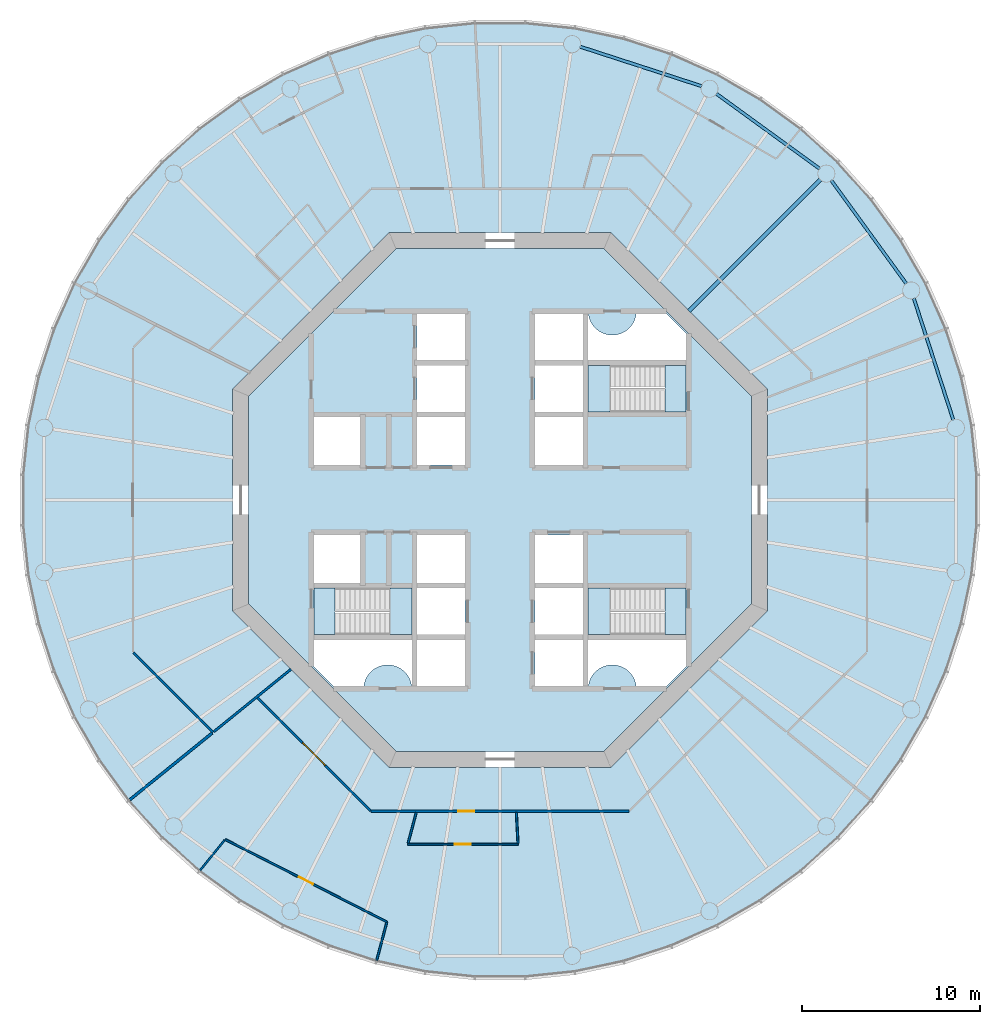
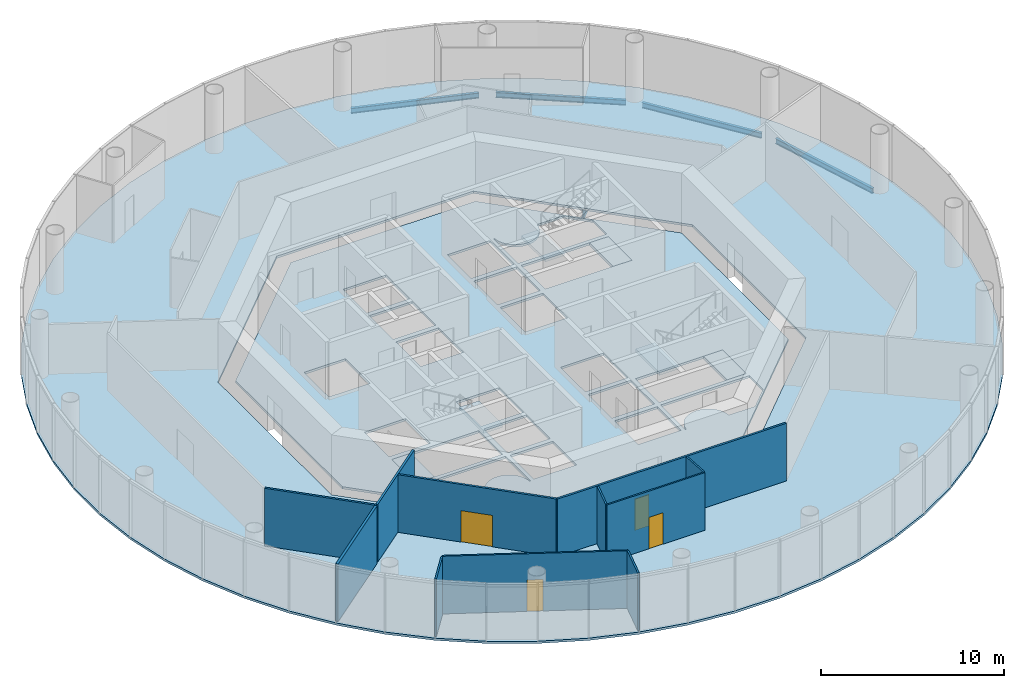
# One storey, part 2 of 12: 11 walls, 8 slabs, 5 beams, 4 doors, 4 openings, 3 elements without a shape of their own.
"""IFC4 building model written with IfcOpenShell, lengths in metres."""

from ifc_helpers import new_model, si_unit, direction, frame, frame_2d, origin, origin_2d, place, context, subcontext, project, spatial, polyline, rectangle, i_section, outline, extrude, material, layer, layer_set, material_profile, profile_set, type_object, element, fill, aggregate, save


model = new_model("IFC4")

# Units and contexts
model_context = context("Model", 3, precision=1e-05, world=origin(), true_north=direction((0.0, 1.0)))
body_context = subcontext(model_context, "Body", "Model", "MODEL_VIEW")
ifc_project = project(units=[si_unit("LENGTHUNIT", "METRE"), si_unit("AREAUNIT", "SQUARE_METRE"), si_unit("VOLUMEUNIT", "CUBIC_METRE"), si_unit("PLANEANGLEUNIT", "RADIAN"), si_unit("MASSUNIT", "GRAM", prefix="KILO")], contexts=[model_context])

# Site, building, storey
site_placement = place(None, origin())
site = spatial("IfcSite", under=ifc_project, at=site_placement, CompositionType="ELEMENT")
building_placement = place(site_placement, origin())
building = spatial("IfcBuilding", under=site, at=building_placement, Name="Entoto Ring Tower", CompositionType="ELEMENT")
storey_placement = place(building_placement, frame((0.0, 0.0, 242.0)))
storey = spatial("IfcBuildingStorey", under=building, at=storey_placement, Name="L55", CompositionType="ELEMENT", Elevation=242.0)

# Beams
ifc_material_1 = material(Name="Steel S355", Category="steel")
ifc_material_profile_1 = material_profile(ifc_material_1, i_section(OverallWidth=0.169921875, OverallDepth=0.360107421875, WebThickness=0.008056640625, FlangeThickness=0.0126953125, FilletRadius=0.01806640625, at=origin_2d()), Name="IPE 360")
ifc_profile_set_1 = profile_set([ifc_material_profile_1], Name="Steel S355")
beam_type_1 = type_object("IfcBeamType", Name="Edge beam IPE 360", PredefinedType="SPANDREL", material=ifc_profile_set_1)
beam_1_placement = place(storey_placement, frame((115.43505859375, 84.501220703125, -0.330078125), z_axis=(-0.309015118354, 0.951057125849, 0.0), x_axis=(-0.951057125849, -0.309015118354, 0.0)))
element("IfcBeam", 1, at=beam_1_placement, inside=storey, type_object=beam_type_1, Name="Edge beam L55 01", PredefinedType="SPANDREL", context=body_context, shape_type="SweptSolid", body=[
    extrude(i_section(OverallWidth=0.169921875, OverallDepth=0.360107421875, WebThickness=0.008056640625, FlangeThickness=0.0126953125, FilletRadius=0.01806640625, at=origin_2d()), origin(), (0.0, 0.0, 1.0), 7.157958984375),
])
for number, where, z_axis, x_axis, name in (
    (2, (112.79931640625, 92.140625, -0.330078125), (-0.587794432314, 0.809010324619, 0.0), (-0.809010324619, -0.587794432314, 0.0), "Edge beam L55 02"),
    (3, (107.931640625, 98.591796875, -0.330078125), (-0.809010324619, 0.587794432314, 0.0), (-0.587794432314, -0.809010324619, 0.0), "Edge beam L55 03"),
):
    element("IfcBeam", number, at=place(storey_placement, frame(where, z_axis=z_axis, x_axis=x_axis)), inside=storey, type_object=beam_type_1, Name=name, PredefinedType="SPANDREL", context=body_context, shape_type="SweptSolid", body=[
        extrude(i_section(OverallWidth=0.169921875, OverallDepth=0.360107421875, WebThickness=0.008056640625, FlangeThickness=0.0126953125, FilletRadius=0.01806640625, at=origin_2d()), origin(), (0.0, 0.0, 1.0), 7.158203125),
    ])
beam_2_placement = place(storey_placement, frame((101.308837890625, 103.22314453125, -0.330078125), z_axis=(-0.951057125849, 0.309015118354, 0.0), x_axis=(-0.309015118354, -0.951057125849, 0.0)))
element("IfcBeam", 4, at=beam_2_placement, inside=storey, type_object=beam_type_1, Name="Edge beam L55 04", PredefinedType="SPANDREL", context=body_context, shape_type="SweptSolid", body=[
    extrude(i_section(OverallWidth=0.169921875, OverallDepth=0.360107421875, WebThickness=0.008056640625, FlangeThickness=0.0126953125, FilletRadius=0.01806640625, at=origin_2d()), origin(), (0.0, 0.0, 1.0), 7.157958984375),
])
ifc_material_2 = material(Name="Steel S355", Category="steel")
ifc_material_profile_2 = material_profile(ifc_material_2, i_section(OverallWidth=0.199951171875, OverallDepth=0.5, WebThickness=0.01025390625, FlangeThickness=0.01611328125, FilletRadius=0.02099609375, at=origin_2d()), Name="IPE 500")
ifc_profile_set_2 = profile_set([ifc_material_profile_2], Name="Steel S355")
beam_type_2 = type_object("IfcBeamType", Name="Primary floor beam IPE 500", PredefinedType="BEAM", material=ifc_profile_set_2)
beam_3_placement = place(storey_placement, frame((100.592529296875, 90.592529296875, -0.39990234375), z_axis=(0.707106781187, 0.707106781187, 0.0), x_axis=(-0.707106781187, 0.707106781187, 0.0)))
element("IfcBeam", 5, at=beam_3_placement, inside=storey, type_object=beam_type_2, Name="Primary L55 R03", PredefinedType="BEAM", context=body_context, shape_type="SweptSolid", body=[
    extrude(i_section(OverallWidth=0.199951171875, OverallDepth=0.5, WebThickness=0.01025390625, FlangeThickness=0.01611328125, FilletRadius=0.02099609375, at=origin_2d()), origin(), (0.0, 0.0, 1.0), 10.4501953125),
])

# Slabs
ifc_material_3 = material(Name="Concrete C30/37", Category="concrete")
ifc_layer_1 = layer(ifc_material_3, 0.14990234375)
ifc_layer_set_1 = layer_set([ifc_layer_1], Name="Concrete C30/37")
slab_type_1 = type_object("IfcSlabType", Name="Composite floor slab 150 mm", PredefinedType="FLOOR", material=ifc_layer_set_1)
slab_1_placement = place(storey_placement, frame((0.0, 0.0, -0.14990234375)))
element("IfcSlab", 6, at=slab_1_placement, inside=storey, type_object=slab_type_1, Name="Floor slab L55", PredefinedType="FLOOR", context=body_context, shape_type="SweptSolid", body=[
    extrude(outline(polyline([(116.56884765625, 84.2080078125), (115.9833984375, 86.962158203125), (115.11328125, 89.64013671875), (113.968017578125, 92.21240234375), (112.560302734375, 94.65087890625), (110.9052734375, 96.9287109375), (109.021240234375, 99.021240234375), (106.9287109375, 100.9052734375), (104.65087890625, 102.560302734375), (102.21240234375, 103.968017578125), (99.64013671875, 105.11328125), (96.962158203125, 105.9833984375), (94.2080078125, 106.56884765625), (91.407958984375, 106.863037109375), (88.592041015625, 106.863037109375), (85.7919921875, 106.56884765625), (83.037841796875, 105.9833984375), (80.35986328125, 105.11328125), (77.78759765625, 103.968017578125), (75.34912109375, 102.560302734375), (73.0712890625, 100.9052734375), (70.978759765625, 99.021240234375), (69.0947265625, 96.9287109375), (67.439697265625, 94.65087890625), (66.031982421875, 92.21240234375), (64.88671875, 89.64013671875), (64.0166015625, 86.962158203125), (63.43115234375, 84.2080078125), (63.136962890625, 81.407958984375), (63.136962890625, 78.592041015625), (63.43115234375, 75.7919921875), (64.0166015625, 73.037841796875), (64.88671875, 70.35986328125), (66.031982421875, 67.78759765625), (67.439697265625, 65.34912109375), (69.0947265625, 63.0712890625), (70.978759765625, 60.978759765625), (73.0712890625, 59.0947265625), (75.34912109375, 57.439697265625), (77.78759765625, 56.031982421875), (80.35986328125, 54.88671875), (83.037841796875, 54.0166015625), (85.7919921875, 53.43115234375), (88.592041015625, 53.136962890625), (91.407958984375, 53.136962890625), (94.2080078125, 53.43115234375), (96.962158203125, 54.0166015625), (99.64013671875, 54.88671875), (102.21240234375, 56.031982421875), (104.65087890625, 57.439697265625), (106.9287109375, 59.0947265625), (109.021240234375, 60.978759765625), (110.9052734375, 63.0712890625), (112.560302734375, 65.34912109375), (113.968017578125, 67.78759765625), (115.11328125, 70.35986328125), (115.9833984375, 73.037841796875), (116.56884765625, 75.7919921875), (116.863037109375, 78.592041015625), (116.863037109375, 81.407958984375), (116.56884765625, 84.2080078125)]), holes=[polyline([(105.0, 73.786865234375), (105.0, 86.213134765625), (96.213134765625, 95.0), (83.786865234375, 95.0), (75.0, 86.213134765625), (75.0, 73.786865234375), (83.786865234375, 65.0), (96.213134765625, 65.0), (105.0, 73.786865234375)])]), origin(), (0.0, 0.0, 1.0), 0.14990234375),
])
ifc_material_4 = material(Name="Concrete C40/50", Category="concrete")
ifc_layer_2 = layer(ifc_material_4, 0.14990234375)
ifc_layer_set_2 = layer_set([ifc_layer_2], Name="Concrete C40/50")
slab_type_2 = type_object("IfcSlabType", Name="Core floor slab 150 mm reinforced concrete C40/50", PredefinedType="FLOOR", material=ifc_layer_set_2)
slab_2_placement = place(storey_placement, frame((0.0, 0.0, -0.14990234375)))
element("IfcSlab", 7, at=slab_2_placement, inside=storey, type_object=slab_type_2, Name="Core floor L55", PredefinedType="FLOOR", context=body_context, shape_type="SweptSolid", body=[
    extrude(outline(polyline([(104.10009765625, 74.15966796875), (104.10009765625, 85.84033203125), (95.84033203125, 94.10009765625), (84.15966796875, 94.10009765625), (75.89990234375, 85.84033203125), (75.89990234375, 74.15966796875), (84.15966796875, 65.89990234375), (95.84033203125, 65.89990234375), (104.10009765625, 74.15966796875)]), holes=[polyline([(100.449951171875, 84.949951171875), (100.449951171875, 87.550048828125), (94.949951171875, 87.550048828125), (94.949951171875, 84.949951171875), (100.449951171875, 84.949951171875)]), polyline([(85.050048828125, 72.449951171875), (85.050048828125, 75.050048828125), (79.550048828125, 75.050048828125), (79.550048828125, 72.449951171875), (85.050048828125, 72.449951171875)]), polyline([(100.449951171875, 72.449951171875), (100.449951171875, 75.050048828125), (94.949951171875, 75.050048828125), (94.949951171875, 72.449951171875), (100.449951171875, 72.449951171875)]), polyline([(91.949951171875, 84.949951171875), (94.64990234375, 84.949951171875), (94.64990234375, 87.550048828125), (91.949951171875, 87.550048828125), (91.949951171875, 84.949951171875)]), polyline([(91.949951171875, 72.449951171875), (94.64990234375, 72.449951171875), (94.64990234375, 75.050048828125), (91.949951171875, 75.050048828125), (91.949951171875, 72.449951171875)]), polyline([(91.949951171875, 69.550048828125), (94.64990234375, 69.550048828125), (94.64990234375, 72.14990234375), (91.949951171875, 72.14990234375), (91.949951171875, 69.550048828125)]), polyline([(85.35009765625, 72.449951171875), (88.050048828125, 72.449951171875), (88.050048828125, 75.050048828125), (85.35009765625, 75.050048828125), (85.35009765625, 72.449951171875)]), polyline([(85.35009765625, 81.949951171875), (88.050048828125, 81.949951171875), (88.050048828125, 84.64990234375), (85.35009765625, 84.64990234375), (85.35009765625, 81.949951171875)]), polyline([(91.949951171875, 75.35009765625), (94.64990234375, 75.35009765625), (94.64990234375, 78.050048828125), (91.949951171875, 78.050048828125), (91.949951171875, 75.35009765625)]), polyline([(79.550048828125, 81.949951171875), (82.14990234375, 81.949951171875), (82.14990234375, 84.64990234375), (79.550048828125, 84.64990234375), (79.550048828125, 81.949951171875)]), polyline([(79.550048828125, 75.35009765625), (82.14990234375, 75.35009765625), (82.14990234375, 78.050048828125), (79.550048828125, 78.050048828125), (79.550048828125, 75.35009765625)]), polyline([(91.949951171875, 87.85009765625), (94.64990234375, 87.85009765625), (94.64990234375, 90.449951171875), (91.949951171875, 90.449951171875), (91.949951171875, 87.85009765625)]), polyline([(85.35009765625, 69.550048828125), (88.050048828125, 69.550048828125), (88.050048828125, 72.14990234375), (85.35009765625, 72.14990234375), (85.35009765625, 69.550048828125)]), polyline([(91.949951171875, 81.949951171875), (94.64990234375, 81.949951171875), (94.64990234375, 84.64990234375), (91.949951171875, 84.64990234375), (91.949951171875, 81.949951171875)]), polyline([(85.35009765625, 75.35009765625), (88.050048828125, 75.35009765625), (88.050048828125, 78.050048828125), (85.35009765625, 78.050048828125), (85.35009765625, 75.35009765625)]), polyline([(85.35009765625, 84.949951171875), (88.050048828125, 84.949951171875), (88.050048828125, 87.550048828125), (85.35009765625, 87.550048828125), (85.35009765625, 84.949951171875)]), polyline([(85.35009765625, 87.85009765625), (88.050048828125, 87.85009765625), (88.050048828125, 90.449951171875), (85.35009765625, 90.449951171875), (85.35009765625, 87.85009765625)]), polyline([(94.89990234375, 90.5), (94.89990234375, 87.800048828125), (100.5, 87.800048828125), (100.5, 89.299072265625), (99.299072265625, 90.5), (97.64501953125, 90.5), (97.6435546875, 90.4677734375), (97.6240234375, 90.336669921875), (97.591796875, 90.2080078125), (97.547119140625, 90.08349609375), (97.490478515625, 89.963623046875), (97.422607421875, 89.85009765625), (97.343505859375, 89.74365234375), (97.254638671875, 89.6455078125), (97.156494140625, 89.556396484375), (97.050048828125, 89.4775390625), (96.936279296875, 89.409423828125), (96.816650390625, 89.352783203125), (96.69189453125, 89.30810546875), (96.5634765625, 89.27587890625), (96.432373046875, 89.256591796875), (96.300048828125, 89.25), (96.167724609375, 89.256591796875), (96.03662109375, 89.27587890625), (95.908203125, 89.30810546875), (95.783447265625, 89.352783203125), (95.66357421875, 89.409423828125), (95.550048828125, 89.4775390625), (95.443603515625, 89.556396484375), (95.345458984375, 89.6455078125), (95.25634765625, 89.74365234375), (95.177490234375, 89.85009765625), (95.109375, 89.963623046875), (95.052734375, 90.08349609375), (95.008056640625, 90.2080078125), (94.975830078125, 90.336669921875), (94.95654296875, 90.4677734375), (94.954833984375, 90.5), (94.89990234375, 90.5)]), polyline([(79.5, 70.700927734375), (80.700927734375, 69.5), (82.35498046875, 69.5), (82.3564453125, 69.5322265625), (82.3759765625, 69.663330078125), (82.408203125, 69.7919921875), (82.452880859375, 69.91650390625), (82.509521484375, 70.036376953125), (82.577392578125, 70.14990234375), (82.656494140625, 70.25634765625), (82.745361328125, 70.3544921875), (82.843505859375, 70.443603515625), (82.949951171875, 70.5224609375), (83.063720703125, 70.590576171875), (83.183349609375, 70.647216796875), (83.30810546875, 70.69189453125), (83.4365234375, 70.72412109375), (83.567626953125, 70.743408203125), (83.699951171875, 70.75), (83.832275390625, 70.743408203125), (83.96337890625, 70.72412109375), (84.091796875, 70.69189453125), (84.216552734375, 70.647216796875), (84.33642578125, 70.590576171875), (84.449951171875, 70.5224609375), (84.556396484375, 70.443603515625), (84.654541015625, 70.3544921875), (84.74365234375, 70.25634765625), (84.822509765625, 70.14990234375), (84.890625, 70.036376953125), (84.947265625, 69.91650390625), (84.991943359375, 69.7919921875), (85.024169921875, 69.663330078125), (85.04345703125, 69.5322265625), (85.045166015625, 69.5), (85.10009765625, 69.5), (85.10009765625, 72.199951171875), (79.5, 72.199951171875), (79.5, 70.700927734375)]), polyline([(97.64501953125, 69.5), (99.299072265625, 69.5), (100.5, 70.700927734375), (100.5, 72.199951171875), (94.89990234375, 72.199951171875), (94.89990234375, 69.5), (94.954833984375, 69.5), (94.95654296875, 69.5322265625), (94.975830078125, 69.663330078125), (95.008056640625, 69.7919921875), (95.052734375, 69.91650390625), (95.109375, 70.036376953125), (95.177490234375, 70.14990234375), (95.25634765625, 70.25634765625), (95.345458984375, 70.3544921875), (95.443603515625, 70.443603515625), (95.550048828125, 70.5224609375), (95.66357421875, 70.590576171875), (95.783447265625, 70.647216796875), (95.908203125, 70.69189453125), (96.03662109375, 70.72412109375), (96.167724609375, 70.743408203125), (96.300048828125, 70.75), (96.432373046875, 70.743408203125), (96.5634765625, 70.72412109375), (96.69189453125, 70.69189453125), (96.816650390625, 70.647216796875), (96.936279296875, 70.590576171875), (97.050048828125, 70.5224609375), (97.156494140625, 70.443603515625), (97.254638671875, 70.3544921875), (97.343505859375, 70.25634765625), (97.422607421875, 70.14990234375), (97.490478515625, 70.036376953125), (97.547119140625, 69.91650390625), (97.591796875, 69.7919921875), (97.6240234375, 69.663330078125), (97.6435546875, 69.5322265625), (97.64501953125, 69.5)])]), origin(), (0.0, 0.0, 1.0), 0.14990234375),
])

# Stair, slabs
ifc_material_5 = material(Name="Concrete C40/50", Category="concrete")
stair_type = type_object("IfcStairType", Name="Exit stair 1200 mm dog-leg reinforced concrete", PredefinedType="HALF_TURN_STAIR", material=ifc_material_5)
stair_1_placement = place(storey_placement, origin())
stair_1 = element("IfcStair", 8, at=stair_1_placement, inside=storey, type_object=stair_type, Name="Exit stair 1", PredefinedType="HALF_TURN_STAIR")
ifc_material_6 = material(Name="Concrete C40/50", Category="concrete")
ifc_layer_3 = layer(ifc_material_6, 0.199951171875)
ifc_layer_set_3 = layer_set([ifc_layer_3], Name="Concrete C40/50")
slab_type_3 = type_object("IfcSlabType", Name="Stair landing 200 mm reinforced concrete", PredefinedType="LANDING", material=ifc_layer_set_3)
slab_3_placement = place(storey_placement, frame((0.0, 0.0, -0.199951171875)))
slab_3 = element("IfcSlab", 9, at=slab_3_placement, type_object=slab_type_3, Name="ST1 landing 1", PredefinedType="LANDING", context=body_context, shape_type="SweptSolid", body=[
    extrude(outline(polyline([(100.449951171875, 84.949951171875), (100.449951171875, 87.550048828125), (99.25, 87.550048828125), (99.25, 84.949951171875), (100.449951171875, 84.949951171875)])), origin(), (0.0, 0.0, 1.0), 0.199951171875),
])
slab_4_placement = place(storey_placement, frame((0.0, 0.0, 1.800048828125)))
slab_4 = element("IfcSlab", 10, at=slab_4_placement, type_object=slab_type_3, Name="ST1 landing 2", PredefinedType="LANDING", context=body_context, shape_type="SweptSolid", body=[
    extrude(outline(polyline([(94.949951171875, 84.949951171875), (96.169921875, 84.949951171875), (96.169921875, 87.550048828125), (94.949951171875, 87.550048828125), (94.949951171875, 84.949951171875)])), origin(), (0.0, 0.0, 1.0), 0.199951171875),
])
aggregate(stair_1, [slab_3, slab_4])

stair_2_placement = place(storey_placement, origin())
stair_2 = element("IfcStair", 11, at=stair_2_placement, inside=storey, type_object=stair_type, Name="Exit stair 2", PredefinedType="HALF_TURN_STAIR")
slab_5_placement = place(storey_placement, frame((0.0, 0.0, -0.199951171875)))
slab_5 = element("IfcSlab", 12, at=slab_5_placement, type_object=slab_type_3, Name="ST2 landing 1", PredefinedType="LANDING", context=body_context, shape_type="SweptSolid", body=[
    extrude(outline(polyline([(80.75, 72.449951171875), (80.75, 75.050048828125), (79.550048828125, 75.050048828125), (79.550048828125, 72.449951171875), (80.75, 72.449951171875)])), origin(), (0.0, 0.0, 1.0), 0.199951171875),
])
slab_6_placement = place(storey_placement, frame((0.0, 0.0, 1.800048828125)))
slab_6 = element("IfcSlab", 13, at=slab_6_placement, type_object=slab_type_3, Name="ST2 landing 2", PredefinedType="LANDING", context=body_context, shape_type="SweptSolid", body=[
    extrude(outline(polyline([(83.830078125, 72.449951171875), (85.050048828125, 72.449951171875), (85.050048828125, 75.050048828125), (83.830078125, 75.050048828125), (83.830078125, 72.449951171875)])), origin(), (0.0, 0.0, 1.0), 0.199951171875),
])
aggregate(stair_2, [slab_5, slab_6])

stair_3_placement = place(storey_placement, origin())
stair_3 = element("IfcStair", 14, at=stair_3_placement, inside=storey, type_object=stair_type, Name="Exit stair 3", PredefinedType="HALF_TURN_STAIR")
slab_7_placement = place(storey_placement, frame((0.0, 0.0, -0.199951171875)))
slab_7 = element("IfcSlab", 15, at=slab_7_placement, type_object=slab_type_3, Name="ST3 landing 1", PredefinedType="LANDING", context=body_context, shape_type="SweptSolid", body=[
    extrude(outline(polyline([(100.449951171875, 72.449951171875), (100.449951171875, 75.050048828125), (99.25, 75.050048828125), (99.25, 72.449951171875), (100.449951171875, 72.449951171875)])), origin(), (0.0, 0.0, 1.0), 0.199951171875),
])
slab_8_placement = place(storey_placement, frame((0.0, 0.0, 1.800048828125)))
slab_8 = element("IfcSlab", 16, at=slab_8_placement, type_object=slab_type_3, Name="ST3 landing 2", PredefinedType="LANDING", context=body_context, shape_type="SweptSolid", body=[
    extrude(outline(polyline([(94.949951171875, 72.449951171875), (96.169921875, 72.449951171875), (96.169921875, 75.050048828125), (94.949951171875, 75.050048828125), (94.949951171875, 72.449951171875)])), origin(), (0.0, 0.0, 1.0), 0.199951171875),
])
aggregate(stair_3, [slab_7, slab_8])

# Wall, opening, door
ifc_material_7 = material(Name="Fire-resisting plasterboard on steel studs", Category="steel")
ifc_layer_4 = layer(ifc_material_7, 0.125)
ifc_layer_set_4 = layer_set([ifc_layer_4], Name="Fire-resisting plasterboard on steel studs")
wall_type_1 = type_object("IfcWallType", Name="Corridor wall 125 mm one-hour plasterboard on steel studs", PredefinedType="PARTITIONING", material=ifc_layer_set_4)
wall_1_placement = place(storey_placement, frame((82.766845703125, 62.53759765625, 0.0), z_axis=(0.0, 0.0, 1.0), x_axis=(1.0, 0.0, 0.0)))
wall_1 = element("IfcWall", 17, at=wall_1_placement, inside=storey, type_object=wall_type_1, Name="partition-L55-004", PredefinedType="PARTITIONING", context=body_context, shape_type="SweptSolid", body=[
    extrude(rectangle(XDim=14.46630859375, YDim=0.125, at=frame_2d((7.233154296875, 0.0))), origin(), (0.0, 0.0, 1.0), 3.85009765625),
])
opening_1_placement = place(wall_1_placement, frame((4.9013671875, 0.0, 0.0)))
opening_1 = element("IfcOpeningElement", 18, at=opening_1_placement, cuts=wall_1, Name="Opening A24-D12", PredefinedType="OPENING", context=body_context, shape_type="SweptSolid", body=[
    extrude(rectangle(XDim=0.89990234375, YDim=2.10009765625, at=frame_2d((0.449951171875, 1.050048828125))), frame((0.0, 0.072509765625, 0.0), z_axis=(0.0, -1.0, 0.0), x_axis=(1.0, 0.0, 0.0)), (0.0, 0.0, 1.0), 0.14501953125),
])
ifc_material_8 = material(Name="Fire-resisting timber door set", Category="wood")
door_type_1 = type_object("IfcDoorType", Name="Door 1000 x 2100 single leaf FD30S fire door", OperationType="NOTDEFINED", PredefinedType="DOOR", material=ifc_material_8)
door_1_placement = place(opening_1_placement, frame((0.89990234375, 0.0, 0.0), z_axis=(0.0, 0.0, 1.0), x_axis=(-1.0, 0.0, 0.0)))
door_1 = element("IfcDoor", 19, at=door_1_placement, inside=storey, type_object=door_type_1, Name="Door A24-D12", OperationType="SINGLE_SWING_LEFT", OverallHeight=2.10009765625, OverallWidth=0.89990234375, PredefinedType="DOOR", context=body_context, shape_type="SweptSolid", body=[
    extrude(rectangle(XDim=0.89990234375, YDim=2.10009765625, at=frame_2d((0.449951171875, 1.050048828125))), frame((0.0, 0.02490234375, 0.0), z_axis=(0.0, -1.0, 0.0), x_axis=(1.0, 0.0, 0.0)), (0.0, 0.0, 1.0), 0.050048828125),
])
fill(opening_1, door_1)

wall_2_placement = place(storey_placement, frame((82.735595703125, 62.568603515625, 0.0), z_axis=(0.0, 0.0, 1.0), x_axis=(-0.707106781187, 0.707106781187, 0.0)))
wall_2 = element("IfcWall", 20, at=wall_2_placement, inside=storey, type_object=wall_type_1, Name="partition-L55-007", PredefinedType="PARTITIONING", context=body_context, shape_type="SweptSolid", body=[
    extrude(rectangle(XDim=8.955078125, YDim=0.125, at=frame_2d((4.4775390625, 0.0))), origin(), (0.0, 0.0, 1.0), 3.85009765625),
])
opening_2_placement = place(wall_2_placement, frame((3.59033203125, 0.0, 0.0)))
opening_2 = element("IfcOpeningElement", 21, at=opening_2_placement, cuts=wall_2, Name="Opening A24-D10", PredefinedType="OPENING", context=body_context, shape_type="SweptSolid", body=[
    extrude(rectangle(XDim=1.800048828125, YDim=2.10009765625, at=frame_2d((0.89990234375, 1.050048828125))), frame((0.0, 0.072509765625, 0.0), z_axis=(0.0, -1.0, 0.0), x_axis=(1.0, 0.0, 0.0)), (0.0, 0.0, 1.0), 0.14501953125),
])
ifc_material_9 = material(Name="Fire-resisting timber door set", Category="wood")
door_type_2 = type_object("IfcDoorType", Name="Door 1800 x 2100 double leaf FD30S fire door", OperationType="DOUBLE_DOOR_SINGLE_SWING", PredefinedType="DOOR", material=ifc_material_9)
door_2_placement = place(opening_2_placement, origin())
door_2 = element("IfcDoor", 22, at=door_2_placement, inside=storey, type_object=door_type_2, Name="Door A24-D10", OperationType="DOUBLE_DOOR_SINGLE_SWING", OverallHeight=2.10009765625, OverallWidth=1.800048828125, PredefinedType="DOOR", context=body_context, shape_type="SweptSolid", body=[
    extrude(rectangle(XDim=1.800048828125, YDim=2.10009765625, at=frame_2d((0.89990234375, 1.050048828125))), frame((0.0, 0.02490234375, 0.0), z_axis=(0.0, -1.0, 0.0), x_axis=(1.0, 0.0, 0.0)), (0.0, 0.0, 1.0), 0.050048828125),
])
fill(opening_2, door_2)

# Walls
wall_3_placement = place(storey_placement, frame((73.902587890625, 66.964599609375, 0.0), z_axis=(0.0, 0.0, 1.0), x_axis=(-0.707106781187, 0.707106781187, 0.0)))
element("IfcWall", 23, at=wall_3_placement, inside=storey, type_object=wall_type_1, Name="partition-L55-009", PredefinedType="PARTITIONING", context=body_context, shape_type="SweptSolid", body=[
    extrude(rectangle(XDim=6.323486328125, YDim=0.125, at=frame_2d((3.16162109375, 0.0))), origin(), (0.0, 0.0, 1.0), 3.85009765625),
])
wall_4_placement = place(storey_placement, frame((73.950927734375, 67.003662109375, 0.0), z_axis=(0.0, 0.0, 1.0), x_axis=(0.777129489168, 0.629340732089, 0.0)))
element("IfcWall", 24, at=wall_4_placement, inside=storey, type_object=wall_type_1, Name="partition-L55-013", PredefinedType="PARTITIONING", context=body_context, shape_type="SweptSolid", body=[
    extrude(rectangle(XDim=5.56884765625, YDim=0.125, at=frame_2d((2.784423828125, 0.0))), origin(), (0.0, 0.0, 1.0), 3.85009765625),
])

# Wall, opening, door
ifc_material_10 = material(Name="Plasterboard on steel studs", Category="steel")
ifc_layer_5 = layer(ifc_material_10, 0.10009765625)
ifc_layer_set_5 = layer_set([ifc_layer_5], Name="Plasterboard on steel studs")
wall_type_2 = type_object("IfcWallType", Name="Partition 100 mm plasterboard on steel studs", PredefinedType="PARTITIONING", material=ifc_layer_set_5)
wall_5_placement = place(storey_placement, frame((83.65625, 56.3251953125, 0.0), z_axis=(0.0, 0.0, 1.0), x_axis=(-0.891004577404, 0.453994320499, 0.0)))
wall_5 = element("IfcWall", 25, at=wall_5_placement, inside=storey, type_object=wall_type_2, Name="partition-L55-022", PredefinedType="PARTITIONING", context=body_context, shape_type="SweptSolid", body=[
    extrude(rectangle(XDim=10.191650390625, YDim=0.10009765625, at=frame_2d((5.095703125, 0.0))), origin(), (0.0, 0.0, 1.0), 3.85009765625),
])
opening_3_placement = place(wall_5_placement, frame((4.64599609375, 0.0, 0.0)))
opening_3 = element("IfcOpeningElement", 26, at=opening_3_placement, cuts=wall_5, Name="Opening A24-D13", PredefinedType="OPENING", context=body_context, shape_type="SweptSolid", body=[
    extrude(rectangle(XDim=0.89990234375, YDim=2.10009765625, at=frame_2d((0.449951171875, 1.050048828125))), frame((0.0, 0.06005859375, 0.0), z_axis=(0.0, -1.0, 0.0), x_axis=(1.0, 0.0, 0.0)), (0.0, 0.0, 1.0), 0.1201171875),
])
ifc_material_11 = material(Name="Veneered timber door leaf in timber frame", Category="wood")
door_type_3 = type_object("IfcDoorType", Name="Door 900 x 2100 single leaf timber veneer", OperationType="NOTDEFINED", PredefinedType="DOOR", material=ifc_material_11)
door_3_placement = place(opening_3_placement, origin())
door_3 = element("IfcDoor", 27, at=door_3_placement, inside=storey, type_object=door_type_3, Name="Door A24-D13", OperationType="SINGLE_SWING_RIGHT", OverallHeight=2.10009765625, OverallWidth=0.89990234375, PredefinedType="DOOR", context=body_context, shape_type="SweptSolid", body=[
    extrude(rectangle(XDim=0.89990234375, YDim=2.10009765625, at=frame_2d((0.449951171875, 1.050048828125))), frame((0.0, 0.02490234375, 0.0), z_axis=(0.0, -1.0, 0.0), x_axis=(1.0, 0.0, 0.0)), (0.0, 0.0, 1.0), 0.050048828125),
])
fill(opening_3, door_3)

wall_6_placement = place(storey_placement, frame((84.822509765625, 60.677490234375, 0.0), z_axis=(0.0, 0.0, 1.0), x_axis=(1.0, 0.0, 0.0)))
wall_6 = element("IfcWall", 28, at=wall_6_placement, inside=storey, type_object=wall_type_2, Name="partition-L55-024", PredefinedType="PARTITIONING", context=body_context, shape_type="SweptSolid", body=[
    extrude(rectangle(XDim=6.190185546875, YDim=0.10009765625, at=frame_2d((3.09521484375, 0.0))), origin(), (0.0, 0.0, 1.0), 3.85009765625),
])
opening_4_placement = place(wall_6_placement, frame((2.64501953125, 0.0, 0.0)))
opening_4 = element("IfcOpeningElement", 29, at=opening_4_placement, cuts=wall_6, Name="Opening A24-D11", PredefinedType="OPENING", context=body_context, shape_type="SweptSolid", body=[
    extrude(rectangle(XDim=0.89990234375, YDim=2.10009765625, at=frame_2d((0.449951171875, 1.050048828125))), frame((0.0, 0.06005859375, 0.0), z_axis=(0.0, -1.0, 0.0), x_axis=(1.0, 0.0, 0.0)), (0.0, 0.0, 1.0), 0.1201171875),
])
door_4_placement = place(opening_4_placement, origin())
door_4 = element("IfcDoor", 30, at=door_4_placement, inside=storey, type_object=door_type_3, Name="Door A24-D11", OperationType="SINGLE_SWING_LEFT", OverallHeight=2.10009765625, OverallWidth=0.89990234375, PredefinedType="DOOR", context=body_context, shape_type="SweptSolid", body=[
    extrude(rectangle(XDim=0.89990234375, YDim=2.10009765625, at=frame_2d((0.449951171875, 1.050048828125))), frame((0.0, 0.02490234375, 0.0), z_axis=(0.0, -1.0, 0.0), x_axis=(1.0, 0.0, 0.0)), (0.0, 0.0, 1.0), 0.050048828125),
])
fill(opening_4, door_4)

# Walls
for number, where, z_axis, x_axis, name in (
    (31, (83.0791015625, 54.171142578125, 0.0), (0.0, 0.0, 1.0), (0.258881540946, 0.965909078411, 0.0), "partition-L55-030"),
    (32, (73.172119140625, 59.218994140625, 0.0), (0.0, 0.0, 1.0), (0.629243304322, 0.777208378729, 0.0), "partition-L55-032"),
):
    element("IfcWall", number, at=place(storey_placement, frame(where, z_axis=z_axis, x_axis=x_axis)), inside=storey, type_object=wall_type_2, Name=name, PredefinedType="PARTITIONING", context=body_context, shape_type="SweptSolid", body=[
        extrude(rectangle(XDim=2.181396484375, YDim=0.10009765625, at=frame_2d((1.0908203125, 0.0))), origin(), (0.0, 0.0, 1.0), 3.85009765625),
    ])
wall_7_placement = place(storey_placement, frame((84.83935546875, 60.740234375, 0.0), z_axis=(0.0, 0.0, 1.0), x_axis=(0.258838766998, 0.965920541607, 0.0)))
element("IfcWall", 33, at=wall_7_placement, inside=storey, type_object=wall_type_2, Name="partition-L55-037", PredefinedType="PARTITIONING", context=body_context, shape_type="SweptSolid", body=[
    extrude(rectangle(XDim=1.78271484375, YDim=0.10009765625, at=frame_2d((0.891357421875, 0.0))), origin(), (0.0, 0.0, 1.0), 3.85009765625),
])
wall_8_placement = place(storey_placement, frame((91.010009765625, 60.72998046875, 0.0), z_axis=(0.0, 0.0, 1.0), x_axis=(-0.052331167138, 0.998629785729, 0.0)))
element("IfcWall", 34, at=wall_8_placement, inside=storey, type_object=wall_type_2, Name="partition-L55-040", PredefinedType="PARTITIONING", context=body_context, shape_type="SweptSolid", body=[
    extrude(rectangle(XDim=1.744873046875, YDim=0.10009765625, at=frame_2d((0.87255859375, 0.0))), origin(), (0.0, 0.0, 1.0), 3.85009765625),
])
ifc_material_12 = material(Name="Fire-resisting acoustic plasterboard on steel studs", Category="steel")
ifc_layer_6 = layer(ifc_material_12, 0.14990234375)
ifc_layer_set_6 = layer_set([ifc_layer_6], Name="Fire-resisting acoustic plasterboard on steel studs")
wall_type_3 = type_object("IfcWallType", Name="Party wall 150 mm one-hour acoustic plasterboard on steel studs", PredefinedType="PARTITIONING", material=ifc_layer_set_6)
wall_9_placement = place(storey_placement, frame((69.218994140625, 63.172119140625, 0.0), z_axis=(0.0, 0.0, 1.0), x_axis=(0.777159904302, 0.62930317268, 0.0)))
element("IfcWall", 35, at=wall_9_placement, inside=storey, type_object=wall_type_3, Name="partition-L55-018", PredefinedType="PARTITIONING", context=body_context, shape_type="SweptSolid", body=[
    extrude(rectangle(XDim=5.955810546875, YDim=0.14990234375, at=frame_2d((2.97802734375, 0.0))), origin(), (0.0, 0.0, 1.0), 3.85009765625),
])

save(model, "model.ifc")
